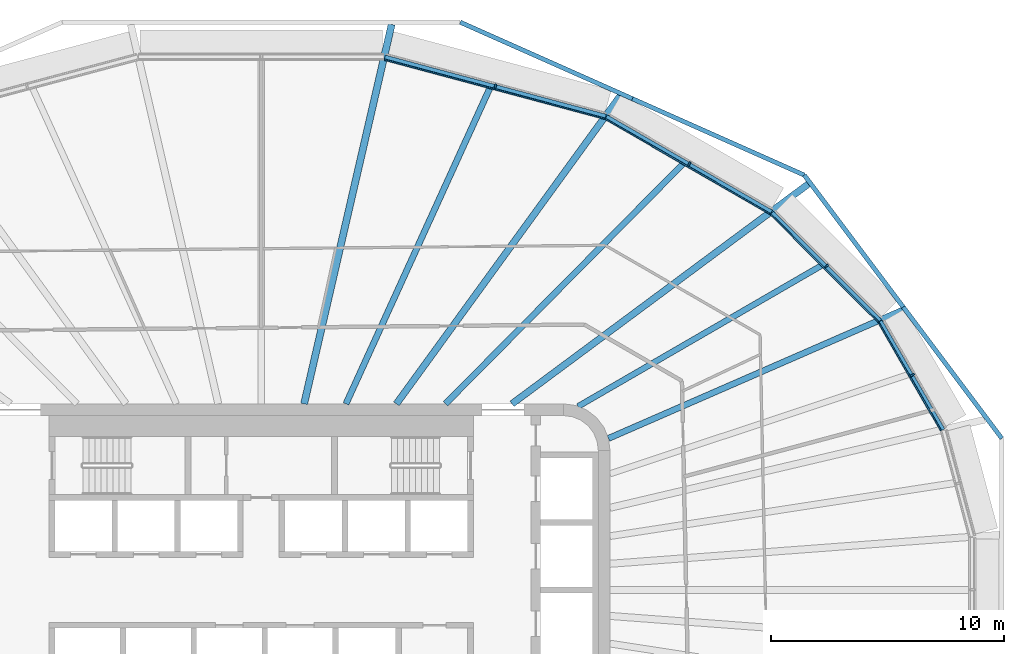
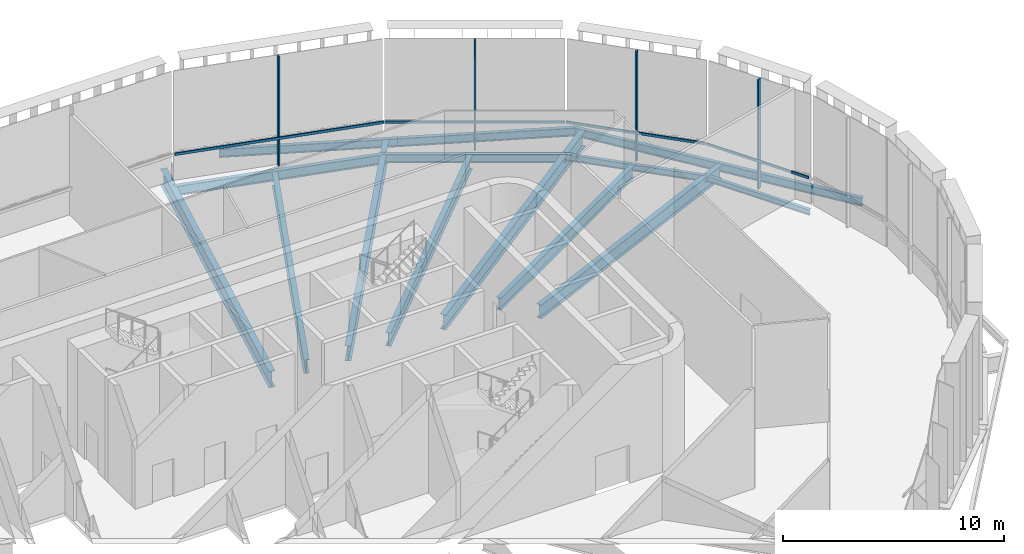
# One storey, part 5 of 18: 15 beams, 8 members, 4 elements without a shape of their own.
"""IFC4 building model written with IfcOpenShell, lengths in metres."""

from ifc_helpers import new_model, si_unit, direction, frame, origin, origin_2d, place, context, subcontext, project, spatial, rectangle, i_section, extrude, material, layer, layer_set, material_profile, profile_set, type_object, element, aggregate, save


model = new_model("IFC4")

# Units and contexts
model_context = context("Model", 3, precision=1e-05, world=origin(), true_north=direction((0.0, 1.0)))
body_context = subcontext(model_context, "Body", "Model", "MODEL_VIEW")
ifc_project = project(units=[si_unit("LENGTHUNIT", "METRE"), si_unit("AREAUNIT", "SQUARE_METRE"), si_unit("VOLUMEUNIT", "CUBIC_METRE"), si_unit("PLANEANGLEUNIT", "RADIAN"), si_unit("MASSUNIT", "GRAM", prefix="KILO")], contexts=[model_context])

# Site, building, storey
site_placement = place(None, origin())
site = spatial("IfcSite", under=ifc_project, at=site_placement, CompositionType="ELEMENT")
building_placement = place(site_placement, origin())
building = spatial("IfcBuilding", under=site, at=building_placement, Name="Sahrelin Media Tower", CompositionType="ELEMENT")
storey_placement = place(building_placement, frame((0.0, 0.0, 203.0)))
storey = spatial("IfcBuildingStorey", under=building, at=storey_placement, Name="L43", CompositionType="ELEMENT", Elevation=203.0)

# Beams
ifc_material_1 = material(Name="Steel S355", Category="steel")
ifc_material_profile_1 = material_profile(ifc_material_1, i_section(OverallWidth=0.1650390625, OverallDepth=0.303466796875, WebThickness=0.006103515625, FlangeThickness=0.01025390625, FilletRadius=0.0087890625, at=origin_2d()), Name="UB 305x165x40")
ifc_profile_set_1 = profile_set([ifc_material_profile_1], Name="Steel S355")
beam_type_1 = type_object("IfcBeamType", Name="Edge beam EB2", PredefinedType="BEAM", material=ifc_profile_set_1)
beam_1_placement = place(storey_placement, frame((26.626708984375, 11.5576171875, -0.351806640625), z_axis=(0.500004571255, -0.866022764553, 0.0), x_axis=(0.866022764553, 0.500004571255, 0.0)))
element("IfcBeam", 1, at=beam_1_placement, inside=storey, type_object=beam_type_1, Name="Edge beam L43-23", PredefinedType="BEAM", context=body_context, shape_type="SweptSolid", body=[
    extrude(i_section(OverallWidth=0.1650390625, OverallDepth=0.303466796875, WebThickness=0.006103515625, FlangeThickness=0.01025390625, FilletRadius=0.0087890625, at=origin_2d()), origin(), (0.0, 0.0, 1.0), 5.3935546875),
])
ifc_material_profile_2 = material_profile(ifc_material_1, i_section(OverallWidth=0.17138671875, OverallDepth=0.35498046875, WebThickness=0.00732421875, FlangeThickness=0.011474609375, FilletRadius=0.01025390625, at=origin_2d()), Name="UB 356x171x51")
ifc_profile_set_2 = profile_set([ifc_material_profile_2], Name="Steel S355")
beam_type_2 = type_object("IfcBeamType", Name="Edge beam EB3", PredefinedType="BEAM", material=ifc_profile_set_2)
beam_2_placement = place(storey_placement, frame((21.9658203125, 16.223876953125, -0.37744140625), z_axis=(0.707106781187, -0.707106781187, 0.0), x_axis=(0.707106781187, 0.707106781187, 0.0)))
element("IfcBeam", 2, at=beam_2_placement, inside=storey, type_object=beam_type_2, Name="Edge beam L43-22", PredefinedType="BEAM", context=body_context, shape_type="SweptSolid", body=[
    extrude(i_section(OverallWidth=0.17138671875, OverallDepth=0.35498046875, WebThickness=0.00732421875, FlangeThickness=0.011474609375, FilletRadius=0.01025390625, at=origin_2d()), origin(), (0.0, 0.0, 1.0), 6.566650390625),
])
ifc_material_profile_3 = material_profile(ifc_material_1, i_section(OverallWidth=0.1904296875, OverallDepth=0.45703125, WebThickness=0.009033203125, FlangeThickness=0.014404296875, FilletRadius=0.01025390625, at=origin_2d()), Name="UB 457x191x74")
ifc_profile_set_3 = profile_set([ifc_material_profile_3], Name="Steel S355")
beam_type_3 = type_object("IfcBeamType", Name="Edge beam EB5", PredefinedType="BEAM", material=ifc_profile_set_3)
beam_3_placement = place(storey_placement, frame((14.841796875, 20.34130859375, -0.428466796875), z_axis=(0.866017504342, -0.500013681986, 0.0), x_axis=(0.500013681986, 0.866017504342, 0.0)))
element("IfcBeam", 3, at=beam_3_placement, inside=storey, type_object=beam_type_3, Name="Edge beam L43-21", PredefinedType="BEAM", context=body_context, shape_type="SweptSolid", body=[
    extrude(i_section(OverallWidth=0.1904296875, OverallDepth=0.45703125, WebThickness=0.009033203125, FlangeThickness=0.014404296875, FilletRadius=0.01025390625, at=origin_2d()), origin(), (0.0, 0.0, 1.0), 8.199951171875),
])
ifc_material_profile_4 = material_profile(ifc_material_1, i_section(OverallWidth=0.208740234375, OverallDepth=0.5283203125, WebThickness=0.009521484375, FlangeThickness=0.01318359375, FilletRadius=0.0126953125, at=origin_2d()), Name="UB 533x210x82")
ifc_profile_set_4 = profile_set([ifc_material_profile_4], Name="Steel S355")
beam_type_4 = type_object("IfcBeamType", Name="Edge beam EB6", PredefinedType="BEAM", material=ifc_profile_set_4)
beam_4_placement = place(storey_placement, frame((5.31201171875, 22.898681640625, -0.464111328125), z_axis=(0.965925344351, -0.258820843714, 0.0), x_axis=(0.258820843714, 0.965925344351, 0.0)))
element("IfcBeam", 4, at=beam_4_placement, inside=storey, type_object=beam_type_4, Name="Edge beam L43-20", PredefinedType="BEAM", context=body_context, shape_type="SweptSolid", body=[
    extrude(i_section(OverallWidth=0.208740234375, OverallDepth=0.5283203125, WebThickness=0.009521484375, FlangeThickness=0.01318359375, FilletRadius=0.0126953125, at=origin_2d()), origin(), (0.0, 0.0, 1.0), 9.83837890625),
])

# Curtain wall, member
ifc_material_2 = material(Name="Champagne anodised aluminium 6063-T6", Category="aluminium")
ifc_layer = layer(ifc_material_2, 0.14990234375)
ifc_layer_set = layer_set([ifc_layer], Name="Sky lobby curtain wall")
curtain_wall_type = type_object("IfcCurtainWallType", Name="Sky lobby curtain wall", PredefinedType="NOTDEFINED", material=ifc_layer_set)
curtain_wall_1_placement = place(storey_placement, frame((28.10498046875, 9.297119140625, 0.0), z_axis=(0.0, 0.0, 1.0), x_axis=(1.0, 0.0, 0.0)))
curtain_wall_1 = element("IfcCurtainWall", 5, at=curtain_wall_1_placement, inside=storey, type_object=curtain_wall_type, Name="L43:CW:L43-02", PredefinedType="NOTDEFINED")
ifc_material_profile_5 = material_profile(ifc_material_2, rectangle(XDim=0.080078125, YDim=0.199951171875, at=origin_2d()), Name="Mullion 80x200")
ifc_profile_set_5 = profile_set([ifc_material_profile_5], Name="Champagne anodised aluminium 6063-T6")
member_type_1 = type_object("IfcMemberType", Name="Mullion 80x200 CW2", PredefinedType="MULLION", material=ifc_profile_set_5)
member_1_placement = place(storey_placement, frame((28.001220703125, 9.2373046875, 0.0), z_axis=(0.0, 0.0, 1.0), x_axis=(-0.500003022996, 0.86602365845, 0.0)))
member_1 = element("IfcMember", 6, at=member_1_placement, type_object=member_type_1, Name="L43:CWM:L43-02", PredefinedType="MULLION", context=body_context, shape_type="SweptSolid", body=[
    extrude(rectangle(XDim=0.080078125, YDim=0.199951171875, at=origin_2d()), origin(), (0.0, 0.0, 1.0), 6.048583984375),
])

curtain_wall_2_placement = place(storey_placement, frame((24.3935546875, 14.00830078125, 0.0), z_axis=(0.0, 0.0, 1.0), x_axis=(1.0, 0.0, 0.0)))
curtain_wall_2 = element("IfcCurtainWall", 7, at=curtain_wall_2_placement, inside=storey, type_object=curtain_wall_type, Name="L43:CW:L43-03", PredefinedType="NOTDEFINED")
member_2_placement = place(storey_placement, frame((24.30859375, 13.92333984375, 0.0), z_axis=(0.0, 0.0, 1.0), x_axis=(-0.707106781187, 0.707106781187, 0.0)))
member_2 = element("IfcMember", 8, at=member_2_placement, type_object=member_type_1, Name="L43:CWM:L43-03", PredefinedType="MULLION", context=body_context, shape_type="SweptSolid", body=[
    extrude(rectangle(XDim=0.080078125, YDim=0.199951171875, at=origin_2d()), origin(), (0.0, 0.0, 1.0), 6.048583984375),
])

curtain_wall_3_placement = place(storey_placement, frame((18.46728515625, 18.421142578125, 0.0), z_axis=(0.0, 0.0, 1.0), x_axis=(1.0, 0.0, 0.0)))
curtain_wall_3 = element("IfcCurtainWall", 9, at=curtain_wall_3_placement, inside=storey, type_object=curtain_wall_type, Name="L43:CW:L43-04", PredefinedType="NOTDEFINED")
member_3_placement = place(storey_placement, frame((18.407470703125, 18.3173828125, 0.0), z_axis=(0.0, 0.0, 1.0), x_axis=(-0.866027149108, 0.499996976998, 0.0)))
member_3 = element("IfcMember", 10, at=member_3_placement, type_object=member_type_1, Name="L43:CWM:L43-04", PredefinedType="MULLION", context=body_context, shape_type="SweptSolid", body=[
    extrude(rectangle(XDim=0.080078125, YDim=0.199951171875, at=origin_2d()), origin(), (0.0, 0.0, 1.0), 6.048583984375),
])

curtain_wall_4_placement = place(storey_placement, frame((10.102294921875, 21.770263671875, 0.0), z_axis=(0.0, 0.0, 1.0), x_axis=(1.0, 0.0, 0.0)))
curtain_wall_4 = element("IfcCurtainWall", 11, at=curtain_wall_4_placement, inside=storey, type_object=curtain_wall_type, Name="L43:CW:L43-05", PredefinedType="NOTDEFINED")
member_4_placement = place(storey_placement, frame((10.0712890625, 21.654296875, 0.0), z_axis=(0.0, 0.0, 1.0), x_axis=(-0.965924922834, 0.258822416818, 0.0)))
member_4 = element("IfcMember", 12, at=member_4_placement, type_object=member_type_1, Name="L43:CWM:L43-05", PredefinedType="MULLION", context=body_context, shape_type="SweptSolid", body=[
    extrude(rectangle(XDim=0.080078125, YDim=0.199951171875, at=origin_2d()), origin(), (0.0, 0.0, 1.0), 6.048583984375),
])

# Beams
ifc_material_profile_6 = material_profile(ifc_material_1, i_section(OverallWidth=0.291748046875, OverallDepth=0.8349609375, WebThickness=0.013916015625, FlangeThickness=0.018798828125, FilletRadius=0.017822265625, at=origin_2d()), Name="UB 838x292x176")
ifc_profile_set_6 = profile_set([ifc_material_profile_6], Name="Steel S355")
beam_type_5 = type_object("IfcBeamType", Name="Radial primary beam PB10", PredefinedType="BEAM", material=ifc_profile_set_6)
beam_5_placement = place(storey_placement, frame((10.78515625, 8.0, -0.617431640625), z_axis=(0.803161934707, 0.595760779708, 0.0), x_axis=(-0.595760779708, 0.803161934707, 0.0)))
element("IfcBeam", 13, at=beam_5_placement, inside=storey, type_object=beam_type_5, Name="Radial beam L43-04", PredefinedType="BEAM", context=body_context, shape_type="SweptSolid", body=[
    extrude(i_section(OverallWidth=0.291748046875, OverallDepth=0.8349609375, WebThickness=0.013916015625, FlangeThickness=0.018798828125, FilletRadius=0.017822265625, at=origin_2d()), origin(), (0.0, 0.0, 1.0), 15.862060546875),
])
beam_6_placement = place(storey_placement, frame((5.81298828125, 8.0, -0.617431640625), z_axis=(0.587812672257, 0.808997071895, 0.0), x_axis=(-0.808997071895, 0.587812672257, 0.0)))
element("IfcBeam", 14, at=beam_6_placement, inside=storey, type_object=beam_type_5, Name="Radial beam L43-05", PredefinedType="BEAM", context=body_context, shape_type="SweptSolid", body=[
    extrude(i_section(OverallWidth=0.291748046875, OverallDepth=0.8349609375, WebThickness=0.013916015625, FlangeThickness=0.018798828125, FilletRadius=0.017822265625, at=origin_2d()), origin(), (0.0, 0.0, 1.0), 16.3779296875),
])
ifc_material_profile_7 = material_profile(ifc_material_1, i_section(OverallWidth=0.30322265625, OverallDepth=0.903076171875, WebThickness=0.01513671875, FlangeThickness=0.020263671875, FilletRadius=0.01904296875, at=origin_2d()), Name="UB 914x305x201")
ifc_profile_set_7 = profile_set([ifc_material_profile_7], Name="Steel S355")
beam_type_6 = type_object("IfcBeamType", Name="Radial primary beam PB11", PredefinedType="BEAM", material=ifc_profile_set_7)
beam_7_placement = place(storey_placement, frame((1.845458984375, 8.0, -0.651611328125), z_axis=(0.224776450288, 0.97441035883, 0.0), x_axis=(-0.97441035883, 0.224776450288, 0.0)))
element("IfcBeam", 15, at=beam_7_placement, inside=storey, type_object=beam_type_6, Name="Radial beam L43-06", PredefinedType="BEAM", context=body_context, shape_type="SweptSolid", body=[
    extrude(i_section(OverallWidth=0.30322265625, OverallDepth=0.903076171875, WebThickness=0.01513671875, FlangeThickness=0.020263671875, FilletRadius=0.01904296875, at=origin_2d()), origin(), (0.0, 0.0, 1.0), 16.7451171875),
])
ifc_material_profile_8 = material_profile(ifc_material_1, i_section(OverallWidth=0.26513671875, OverallDepth=0.75390625, WebThickness=0.0126953125, FlangeThickness=0.017578125, FilletRadius=0.0166015625, at=origin_2d()), Name="UB 762x267x147")
ifc_profile_set_8 = profile_set([ifc_material_profile_8], Name="Steel S355")
beam_type_7 = type_object("IfcBeamType", Name="Radial primary beam PB9", PredefinedType="BEAM", material=ifc_profile_set_8)
beam_8_placement = place(storey_placement, frame((14.9326171875, 6.5126953125, -0.576904296875), z_axis=(0.916606423673, 0.399790775384, 0.0), x_axis=(-0.399790775384, 0.916606423673, 0.0)))
element("IfcBeam", 16, at=beam_8_placement, inside=storey, type_object=beam_type_7, Name="Radial beam L43-03", PredefinedType="BEAM", context=body_context, shape_type="SweptSolid", body=[
    extrude(i_section(OverallWidth=0.26513671875, OverallDepth=0.75390625, WebThickness=0.0126953125, FlangeThickness=0.017578125, FilletRadius=0.0166015625, at=origin_2d()), origin(), (0.0, 0.0, 1.0), 13.806640625),
])
ifc_material_profile_9 = material_profile(ifc_material_1, i_section(OverallWidth=0.2529296875, OverallDepth=0.677978515625, WebThickness=0.01171875, FlangeThickness=0.01611328125, FilletRadius=0.01513671875, at=origin_2d()), Name="UB 686x254x125")
ifc_profile_set_9 = profile_set([ifc_material_profile_9], Name="Steel S355")
beam_type_8 = type_object("IfcBeamType", Name="Radial secondary beam SB8", PredefinedType="BEAM", material=ifc_profile_set_9)
beam_9_placement = place(storey_placement, frame((13.625244140625, 7.88720703125, -0.538818359375), z_axis=(0.86545065699, 0.500994171938, 0.0), x_axis=(-0.500994171938, 0.86545065699, 0.0)))
element("IfcBeam", 17, at=beam_9_placement, inside=storey, type_object=beam_type_8, Name="Secondary beam L43-03", PredefinedType="BEAM", context=body_context, shape_type="SweptSolid", body=[
    extrude(i_section(OverallWidth=0.2529296875, OverallDepth=0.677978515625, WebThickness=0.01171875, FlangeThickness=0.01611328125, FilletRadius=0.01513671875, at=origin_2d()), origin(), (0.0, 0.0, 1.0), 12.115966796875),
])
ifc_material_profile_10 = material_profile(ifc_material_1, i_section(OverallWidth=0.26513671875, OverallDepth=0.75390625, WebThickness=0.0126953125, FlangeThickness=0.017578125, FilletRadius=0.0166015625, at=origin_2d()), Name="UB 762x267x147")
ifc_profile_set_10 = profile_set([ifc_material_profile_10], Name="Steel S355")
beam_type_9 = type_object("IfcBeamType", Name="Radial secondary beam SB9", PredefinedType="BEAM", material=ifc_profile_set_10)
beam_10_placement = place(storey_placement, frame((7.921630859375, 8.0, -0.576904296875), z_axis=(0.70361995026, 0.710576502283, 0.0), x_axis=(-0.710576502283, 0.70361995026, 0.0)))
element("IfcBeam", 18, at=beam_10_placement, inside=storey, type_object=beam_type_9, Name="Secondary beam L43-04", PredefinedType="BEAM", context=body_context, shape_type="SweptSolid", body=[
    extrude(i_section(OverallWidth=0.26513671875, OverallDepth=0.75390625, WebThickness=0.0126953125, FlangeThickness=0.017578125, FilletRadius=0.0166015625, at=origin_2d()), origin(), (0.0, 0.0, 1.0), 14.529296875),
])
beam_11_placement = place(storey_placement, frame((3.645263671875, 8.0, -0.576904296875), z_axis=(0.414626182867, 0.909991828799, 0.0), x_axis=(-0.909991828799, 0.414626182867, 0.0)))
element("IfcBeam", 19, at=beam_11_placement, inside=storey, type_object=beam_type_9, Name="Secondary beam L43-05", PredefinedType="BEAM", context=body_context, shape_type="SweptSolid", body=[
    extrude(i_section(OverallWidth=0.26513671875, OverallDepth=0.75390625, WebThickness=0.0126953125, FlangeThickness=0.017578125, FilletRadius=0.0166015625, at=origin_2d()), origin(), (0.0, 0.0, 1.0), 14.922607421875),
])
ifc_material_profile_11 = material_profile(ifc_material_1, i_section(OverallWidth=0.1904296875, OverallDepth=0.45703125, WebThickness=0.009033203125, FlangeThickness=0.014404296875, FilletRadius=0.01025390625, at=origin_2d()), Name="UB 457x191x74")
ifc_profile_set_11 = profile_set([ifc_material_profile_11], Name="Steel S355")
beam_type_10 = type_object("IfcBeamType", Name="Tie chord TC5", PredefinedType="BEAM", material=ifc_profile_set_11)
beam_12_placement = place(storey_placement, frame((8.55859375, 24.411865234375, -0.428466796875), z_axis=(0.91383514844, -0.406085362301, 0.0), x_axis=(0.406085362301, 0.91383514844, 0.0)))
element("IfcBeam", 20, at=beam_12_placement, inside=storey, type_object=beam_type_10, Name="Tie chord L43-17", PredefinedType="BEAM", context=body_context, shape_type="SweptSolid", body=[
    extrude(i_section(OverallWidth=0.1904296875, OverallDepth=0.45703125, WebThickness=0.009033203125, FlangeThickness=0.014404296875, FilletRadius=0.01025390625, at=origin_2d()), origin(), (0.0, 0.0, 1.0), 8.104736328125),
])
beam_13_placement = place(storey_placement, frame((15.965087890625, 21.12060546875, -0.428466796875), z_axis=(0.913836451226, -0.406082430562, 0.0), x_axis=(0.406082430562, 0.913836451226, 0.0)))
element("IfcBeam", 21, at=beam_13_placement, inside=storey, type_object=beam_type_10, Name="Tie chord L43-18", PredefinedType="BEAM", context=body_context, shape_type="SweptSolid", body=[
    extrude(i_section(OverallWidth=0.1904296875, OverallDepth=0.45703125, WebThickness=0.009033203125, FlangeThickness=0.014404296875, FilletRadius=0.01025390625, at=origin_2d()), origin(), (0.0, 0.0, 1.0), 8.0849609375),
])
beam_14_placement = place(storey_placement, frame((23.353515625, 17.83740234375, -0.428466796875), z_axis=(0.5999724685, -0.800020647885, 0.0), x_axis=(0.800020647885, 0.5999724685, 0.0)))
element("IfcBeam", 22, at=beam_14_placement, inside=storey, type_object=beam_type_10, Name="Tie chord L43-19", PredefinedType="BEAM", context=body_context, shape_type="SweptSolid", body=[
    extrude(i_section(OverallWidth=0.1904296875, OverallDepth=0.45703125, WebThickness=0.009033203125, FlangeThickness=0.014404296875, FilletRadius=0.01025390625, at=origin_2d()), origin(), (0.0, 0.0, 1.0), 7.09423828125),
])
beam_15_placement = place(storey_placement, frame((27.60986328125, 12.161865234375, -0.428466796875), z_axis=(0.600071899734, -0.799946070151, 0.0), x_axis=(0.799946070151, 0.600071899734, 0.0)))
element("IfcBeam", 23, at=beam_15_placement, inside=storey, type_object=beam_type_10, Name="Tie chord L43-20", PredefinedType="BEAM", context=body_context, shape_type="SweptSolid", body=[
    extrude(i_section(OverallWidth=0.1904296875, OverallDepth=0.45703125, WebThickness=0.009033203125, FlangeThickness=0.014404296875, FilletRadius=0.01025390625, at=origin_2d()), origin(), (0.0, 0.0, 1.0), 7.0625),
])

# Member
ifc_material_profile_12 = material_profile(ifc_material_2, rectangle(XDim=0.06005859375, YDim=0.139892578125, at=origin_2d()), Name="Transom 60x140")
ifc_profile_set_12 = profile_set([ifc_material_profile_12], Name="Champagne anodised aluminium 6063-T6")
member_type_2 = type_object("IfcMemberType", Name="Transom 60x140 CW2", PredefinedType="USERDEFINED", material=ifc_profile_set_12)
member_5_placement = place(storey_placement, frame((29.22900390625, 6.850341796875, 1.60009765625), z_axis=(-0.499993097703, 0.866029388791, 0.0), x_axis=(-0.866029388791, -0.499993097703, 0.0)))
member_5 = element("IfcMember", 24, at=member_5_placement, type_object=member_type_2, Name="L43:CWT:L43-02", ObjectType="TRANSOM", PredefinedType="USERDEFINED", context=body_context, shape_type="SweptSolid", body=[
    extrude(rectangle(XDim=0.06005859375, YDim=0.139892578125, at=origin_2d()), origin(), (0.0, 0.0, 1.0), 5.36181640625),
])

aggregate(curtain_wall_1, [member_1, member_5])

member_6_placement = place(storey_placement, frame((26.52734375, 11.52099609375, 1.60009765625), z_axis=(-0.707106781187, 0.707106781187, 0.0), x_axis=(-0.707106781187, -0.707106781187, 0.0)))
member_6 = element("IfcMember", 25, at=member_6_placement, type_object=member_type_2, Name="L43:CWT:L43-03", ObjectType="TRANSOM", PredefinedType="USERDEFINED", context=body_context, shape_type="SweptSolid", body=[
    extrude(rectangle(XDim=0.06005859375, YDim=0.139892578125, at=origin_2d()), origin(), (0.0, 0.0, 1.0), 6.53515625),
])

aggregate(curtain_wall_2, [member_2, member_6])

member_7_placement = place(storey_placement, frame((21.87939453125, 16.16259765625, 1.60009765625), z_axis=(-0.866021832376, 0.500006185809, 0.0), x_axis=(-0.500006185809, -0.866021832376, 0.0)))
member_7 = element("IfcMember", 26, at=member_7_placement, type_object=member_type_2, Name="L43:CWT:L43-04", ObjectType="TRANSOM", PredefinedType="USERDEFINED", context=body_context, shape_type="SweptSolid", body=[
    extrude(rectangle(XDim=0.06005859375, YDim=0.139892578125, at=origin_2d()), origin(), (0.0, 0.0, 1.0), 8.16845703125),
])

aggregate(curtain_wall_3, [member_3, member_7])

member_8_placement = place(storey_placement, frame((14.77392578125, 20.259765625, 1.60009765625), z_axis=(-0.9659206025, 0.258838539761, 0.0), x_axis=(-0.258838539761, -0.9659206025, 0.0)))
member_8 = element("IfcMember", 27, at=member_8_placement, type_object=member_type_2, Name="L43:CWT:L43-05", ObjectType="TRANSOM", PredefinedType="USERDEFINED", context=body_context, shape_type="SweptSolid", body=[
    extrude(rectangle(XDim=0.06005859375, YDim=0.139892578125, at=origin_2d()), origin(), (0.0, 0.0, 1.0), 9.806640625),
])

aggregate(curtain_wall_4, [member_4, member_8])

save(model, "model.ifc")
